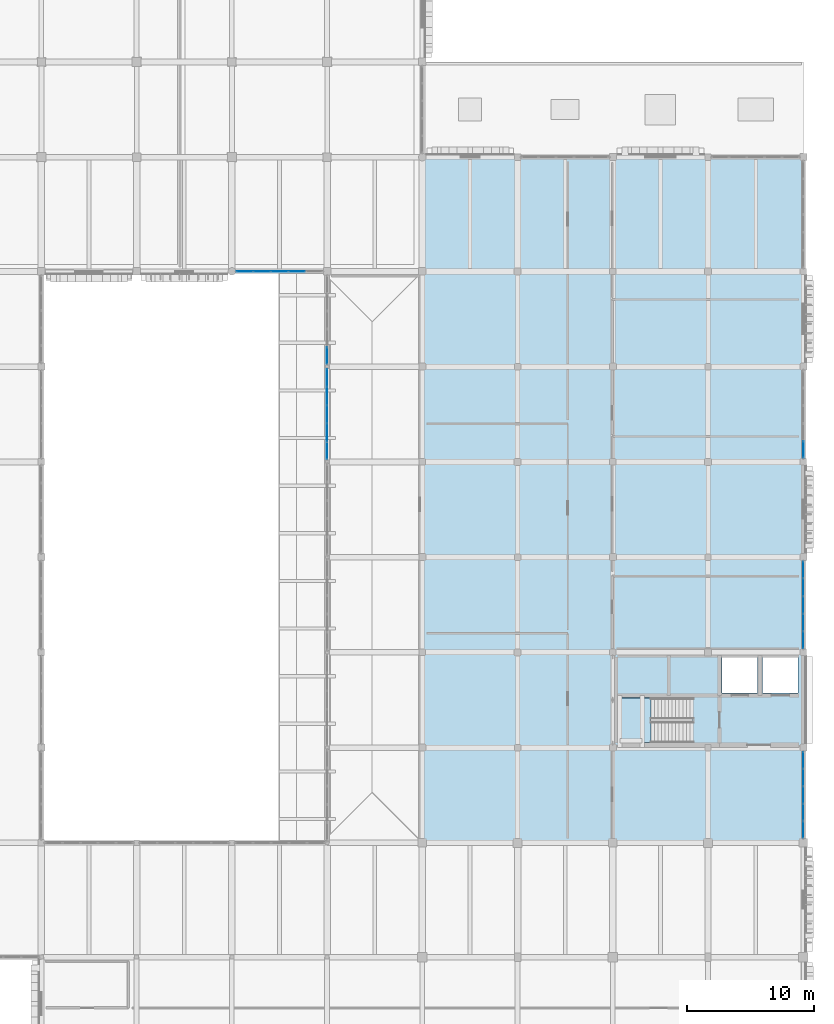
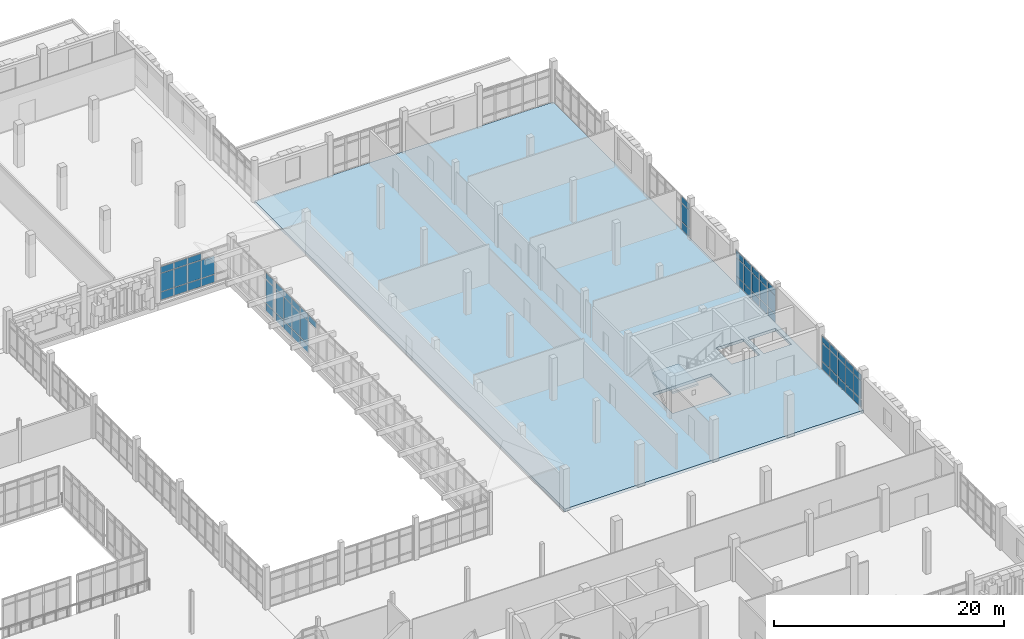
# One storey, part 89 of 128: 60 plates, 2 slabs, 7 elements without a shape of their own.
"""IFC4 building model written with IfcOpenShell, lengths in metres."""

import ifcopenshell
import ifcopenshell.guid

model = None  # the IFC model being written
_history = None  # IfcOwnerHistory: only IFC2X3 demands one
_inside = {}  # id of a spatial element -> (the spatial element, [elements in it])
_under = {}  # id of a project, library or spatial element -> (it, [spatial elements below it])
_declared = {}  # id of a project -> (the project, [libraries it declares])
_typed = {}  # id of a type object -> (the type object, [elements of that type])
_made_of = {}  # id of a material, layer set ... -> (it, [elements and type objects made of it])


def new_model(schema):
    """Start an empty IFC model of exactly this schema.

    Asked for "IFC4X3", IfcOpenShell would pick the latest addendum, in which some entities
    have other attributes; the version numbers below select the first issue.
    IFC2X3 requires an IfcOwnerHistory on every rooted entity: one is made here for all.
    """
    global model, _history
    if schema == "IFC4X3":
        model = ifcopenshell.file(schema_version=(4, 3, 0, 0))
    else:
        model = ifcopenshell.file(schema=schema)
    _inside.clear()
    _under.clear()
    _declared.clear()
    _typed.clear()
    _made_of.clear()
    _history = None
    if model.schema == "IFC2X3":
        org = make("IfcOrganization", Name="unknown")
        user = make(
            "IfcPersonAndOrganization",
            ThePerson=make("IfcPerson", FamilyName="unknown"),
            TheOrganization=org,
        )
        app = make(
            "IfcApplication",
            ApplicationDeveloper=org,
            Version="unknown",
            ApplicationFullName="unknown",
            ApplicationIdentifier="unknown",
        )
        _history = make(
            "IfcOwnerHistory",
            OwningUser=user,
            OwningApplication=app,
            ChangeAction="ADDED",
            CreationDate=0,
        )
    return model


def make(cls, **values):
    """One entity of the class cls with the attributes given. An attribute that is None is left unset."""
    return model.create_entity(
        cls, **{name: value for name, value in values.items() if value is not None}
    )


def rooted(cls, **values):
    """An entity with a GlobalId (a new one), such as an element, a storey or a relation."""
    return make(cls, GlobalId=ifcopenshell.guid.new(), OwnerHistory=_history, **values)


def si_unit(unit_type, name, prefix=None):
    """IfcSIUnit, for example si_unit("LENGTHUNIT", "METRE", prefix="MILLI")."""
    return make("IfcSIUnit", UnitType=unit_type, Prefix=prefix, Name=name)


def assignment(units):
    """IfcUnitAssignment: the units of a project."""
    return None if units is None else make("IfcUnitAssignment", Units=units)


def point(xyz):
    """IfcCartesianPoint."""
    return None if xyz is None else make("IfcCartesianPoint", Coordinates=xyz)


def direction(xyz):
    """IfcDirection."""
    return None if xyz is None else make("IfcDirection", DirectionRatios=xyz)


def frame(location, z_axis=None, x_axis=None):
    """IfcAxis2Placement3D, a coordinate frame: its origin and axes. An axis left out is left unset."""
    return make(
        "IfcAxis2Placement3D",
        Location=point(location),
        Axis=direction(z_axis),
        RefDirection=direction(x_axis),
    )


def frame_2d(location, x_axis=None):
    """IfcAxis2Placement2D, a coordinate frame in the plane: its origin and x axis."""
    return make(
        "IfcAxis2Placement2D", Location=point(location), RefDirection=direction(x_axis)
    )


def origin():
    """The frame at (0, 0, 0) with its axes left unset."""
    return frame((0.0, 0.0, 0.0))


def origin_2d():
    """The frame at (0, 0) in the plane with its x axis left unset."""
    return frame_2d((0.0, 0.0))


def place(relative_to, where):
    """IfcLocalPlacement: puts the frame where relative to a parent placement (None: the world)."""
    return make(
        "IfcLocalPlacement", PlacementRelTo=relative_to, RelativePlacement=where
    )


def context(
    kind, dimensions, precision=None, world=None, true_north=None, identifier=None
):
    """IfcGeometricRepresentationContext, for example the 3D "Model" context."""
    return make(
        "IfcGeometricRepresentationContext",
        ContextIdentifier=identifier,
        ContextType=kind,
        CoordinateSpaceDimension=dimensions,
        Precision=precision,
        WorldCoordinateSystem=world,
        TrueNorth=true_north,
    )


def subcontext(parent, identifier, kind, view, scale=None):
    """IfcGeometricRepresentationSubContext, for example "Body" below "Model"."""
    return make(
        "IfcGeometricRepresentationSubContext",
        ContextIdentifier=identifier,
        ContextType=kind,
        ParentContext=parent,
        TargetScale=scale,
        TargetView=view,
    )


def project(units=None, contexts=None):
    """IfcProject with its units and contexts."""
    return rooted(
        "IfcProject",
        Name="project",
        RepresentationContexts=contexts,
        UnitsInContext=assignment(units),
    )


def spatial(cls, under=None, at=None, **own):
    """A site, building, storey or space (cls), placed at a placement, below another one or the project."""
    s = rooted(cls, ObjectPlacement=at, **own)
    if under is not None:
        _under.setdefault(under.id(), (under, []))[1].append(s)
    return s


def polyline(points):
    """IfcPolyline through the points."""
    return make("IfcPolyline", Points=[point(p) for p in points])


def profile(cls, at=None, kind="AREA", **sizes):
    """A parametric profile (cls). Its sizes go by their IFC names, for example OverallWidth=200.0."""
    return make(cls, ProfileType=kind, Position=at, **sizes)


def rectangle(**sizes):
    """IfcRectangleProfileDef."""
    return profile("IfcRectangleProfileDef", **sizes)


def outline(outer, holes=None, kind="AREA"):
    """IfcArbitraryClosedProfileDef: a profile drawn as a closed curve; with holes, ...WithVoids."""
    if holes is None:
        return make("IfcArbitraryClosedProfileDef", ProfileType=kind, OuterCurve=outer)
    return make(
        "IfcArbitraryProfileDefWithVoids",
        ProfileType=kind,
        OuterCurve=outer,
        InnerCurves=holes,
    )


def extrude(swept, where, along, depth):
    """IfcExtrudedAreaSolid: the profile swept, set in the frame where, extruded along a direction by depth."""
    return make(
        "IfcExtrudedAreaSolid",
        SweptArea=swept,
        Position=where,
        ExtrudedDirection=direction(along),
        Depth=depth,
    )


def shape(context_of_items, identifier, shape_type, items):
    """IfcShapeRepresentation: the items that make up one representation, for example the "Body"."""
    return make(
        "IfcShapeRepresentation",
        ContextOfItems=context_of_items,
        RepresentationIdentifier=identifier,
        RepresentationType=shape_type,
        Items=items,
    )


def material(Name=None, Category=None):
    """IfcMaterial."""
    return make("IfcMaterial", Name=Name, Category=Category)


def layer(
    of_material, thickness, ventilated=None, Name=None, Category=None, Priority=None
):
    """IfcMaterialLayer: one layer of a wall or slab, of a material (None: an air gap)."""
    return make(
        "IfcMaterialLayer",
        Material=of_material,
        LayerThickness=thickness,
        IsVentilated=ventilated,
        Name=Name,
        Category=Category,
        Priority=Priority,
    )


def layer_set(layers, Name=None):
    """IfcMaterialLayerSet."""
    return make("IfcMaterialLayerSet", MaterialLayers=layers, LayerSetName=Name)


def made_of(thing, what):
    """Note that an element or type object is made of a material, layer set ...; save() writes the relation."""
    if what is not None:
        _made_of.setdefault(what.id(), (what, []))[1].append(thing)
    return thing


def type_object(cls, material=None, **own):
    """A type object (cls), such as IfcWallType, which elements share."""
    return made_of(rooted(cls, **own), material)


def element(
    cls,
    number,
    at=None,
    inside=None,
    cuts=None,
    type_object=None,
    material=None,
    context=None,
    identifier="Body",
    shape_type=None,
    held_by="IfcProductDefinitionShape",
    body=None,
    shapes=None,
    **own,
):
    """One element of the class cls, such as IfcWall. Its Tag is "e" and its number.

    at: its placement. inside: the storey or other place that contains it. cuts: it is an
    opening in that element (IfcRelVoidsElement). A single representation is given by context,
    identifier, shape_type and body (its items); several are given by shapes. held_by: the class
    of the entity that holds the representations. save() writes the other relations.
    """
    e = rooted(cls, Tag="e%d" % number, ObjectPlacement=at, **own)
    if body is not None:
        shapes = [shape(context, identifier, shape_type, body)]
    if shapes is not None:
        e.Representation = make(held_by, Representations=shapes)
    if inside is not None:
        _inside.setdefault(inside.id(), (inside, []))[1].append(e)
    if cuts is not None:
        rooted(
            "IfcRelVoidsElement", RelatingBuildingElement=cuts, RelatedOpeningElement=e
        )
    if type_object is not None:
        _typed.setdefault(type_object.id(), (type_object, []))[1].append(e)
    return made_of(e, material)


def aggregate(whole, parts):
    """IfcRelAggregates: a whole, such as a stair, and the parts it consists of."""
    return rooted("IfcRelAggregates", RelatingObject=whole, RelatedObjects=parts)


def save(model, path):
    """Write the relations noted so far, then the file.

    IfcRelAggregates (storeys below a building ...), IfcRelContainedInSpatialStructure (elements
    in a storey), IfcRelDefinesByType, IfcRelAssociatesMaterial and IfcRelDeclares: one each for
    every whole, place, type object, material and project.
    """
    for whole, parts in _under.values():
        aggregate(whole, parts)
    for where, things in _inside.values():
        rooted(
            "IfcRelContainedInSpatialStructure",
            RelatedElements=things,
            RelatingStructure=where,
        )
    for kind, things in _typed.values():
        rooted("IfcRelDefinesByType", RelatedObjects=things, RelatingType=kind)
    for what, things in _made_of.values():
        rooted("IfcRelAssociatesMaterial", RelatedObjects=things, RelatingMaterial=what)
    for by, libraries in _declared.values():
        rooted("IfcRelDeclares", RelatingContext=by, RelatedDefinitions=libraries)
    model.write(path)


model = new_model("IFC4")

# Units and contexts
model_context = context("Model", 3, precision=1e-05, world=origin(), true_north=direction((0.0, 1.0)))
body_context = subcontext(model_context, "Body", "Model", "MODEL_VIEW")
ifc_project = project(units=[si_unit("LENGTHUNIT", "METRE"), si_unit("AREAUNIT", "SQUARE_METRE"), si_unit("VOLUMEUNIT", "CUBIC_METRE"), si_unit("PLANEANGLEUNIT", "RADIAN"), si_unit("MASSUNIT", "GRAM", prefix="KILO")], contexts=[model_context])

# Site, building, storey
site_placement = place(None, origin())
site = spatial("IfcSite", under=ifc_project, at=site_placement, CompositionType="ELEMENT")
building_placement = place(site_placement, origin())
building = spatial("IfcBuilding", under=site, at=building_placement, Name="Dalvernix Boulevard General Hospital", CompositionType="ELEMENT")
storey_placement = place(building_placement, frame((0.0, 0.0, 4.800048828125)))
storey = spatial("IfcBuildingStorey", under=building, at=storey_placement, Name="L01", CompositionType="ELEMENT", Elevation=4.800048828125)

# Curtain wall, plates
ifc_material_1 = material(Name="Thermally broken aluminium and solar-control glass curtain wall", Category="aluminium")
ifc_layer_1 = layer(ifc_material_1, 0.159912109375)
ifc_layer_set_1 = layer_set([ifc_layer_1], Name="Thermally broken aluminium and solar-control glass curtain wall (CW-CW-A-72x42)")
curtain_wall_type_1 = type_object("IfcCurtainWallType", Name="CW-CW-A-72x42", PredefinedType="USERDEFINED", material=ifc_layer_set_1)
curtain_wall_1_placement = place(storey_placement, origin())
curtain_wall_1 = element("IfcCurtainWall", 1, at=curtain_wall_1_placement, inside=storey, type_object=curtain_wall_type_1, Name="L01 curtain wall CW-A-72x42 18-8", ObjectType="GLAZED FACADE", PredefinedType="USERDEFINED")
ifc_material_2 = material(Name="Double-glazed solar-control low-emissivity glass", Category="glass")
ifc_layer_2 = layer(ifc_material_2, 0.02392578125)
ifc_layer_set_2 = layer_set([ifc_layer_2], Name="Double-glazed solar-control low-emissivity glass (PLT-CW-P1)")
plate_type_1 = type_object("IfcPlateType", Name="PLT-CW-P1", PredefinedType="CURTAIN_PANEL", material=ifc_layer_set_2)
plate_1_placement = place(storey_placement, frame((135.0, 62.385009765625, 3.4599609375), z_axis=(0.0, 0.0, 1.0), x_axis=(0.0, 1.0, 0.0)))
plate_1 = element("IfcPlate", 2, at=plate_1_placement, type_object=plate_type_1, Name="CW-A-72x42 panel 1.3", PredefinedType="CURTAIN_PANEL", context=body_context, shape_type="SweptSolid", body=[
    extrude(rectangle(XDim=1.35009765625, YDim=0.02392578125, at=origin_2d()), origin(), (0.0, 0.0, 1.0), 0.659912109375),
])
plate_2_placement = place(storey_placement, frame((135.0, 63.81005859375, 0.059814453125), z_axis=(0.0, 0.0, 1.0), x_axis=(0.0, 1.0, 0.0)))
plate_2 = element("IfcPlate", 3, at=plate_2_placement, type_object=plate_type_1, Name="CW-A-72x42 panel 2.1", PredefinedType="CURTAIN_PANEL", context=body_context, shape_type="SweptSolid", body=[
    extrude(rectangle(XDim=1.3798828125, YDim=0.02392578125, at=origin_2d()), origin(), (0.0, 0.0, 1.0), 0.81005859375),
])
plate_3_placement = place(storey_placement, frame((135.0, 63.81005859375, 0.93017578125), z_axis=(0.0, 0.0, 1.0), x_axis=(0.0, 1.0, 0.0)))
plate_3 = element("IfcPlate", 4, at=plate_3_placement, type_object=plate_type_1, Name="CW-A-72x42 panel 2.2", PredefinedType="CURTAIN_PANEL", context=body_context, shape_type="SweptSolid", body=[
    extrude(rectangle(XDim=1.3798828125, YDim=0.02392578125, at=origin_2d()), origin(), (0.0, 0.0, 1.0), 2.469970703125),
])
plate_4_placement = place(storey_placement, frame((135.0, 63.81005859375, 3.4599609375), z_axis=(0.0, 0.0, 1.0), x_axis=(0.0, 1.0, 0.0)))
plate_4 = element("IfcPlate", 5, at=plate_4_placement, type_object=plate_type_1, Name="CW-A-72x42 panel 2.3", PredefinedType="CURTAIN_PANEL", context=body_context, shape_type="SweptSolid", body=[
    extrude(rectangle(XDim=1.3798828125, YDim=0.02392578125, at=origin_2d()), origin(), (0.0, 0.0, 1.0), 0.659912109375),
])
plate_5_placement = place(storey_placement, frame((135.0, 65.25, 0.059814453125), z_axis=(0.0, 0.0, 1.0), x_axis=(0.0, 1.0, 0.0)))
plate_5 = element("IfcPlate", 6, at=plate_5_placement, type_object=plate_type_1, Name="CW-A-72x42 panel 3.1", PredefinedType="CURTAIN_PANEL", context=body_context, shape_type="SweptSolid", body=[
    extrude(rectangle(XDim=1.3798828125, YDim=0.02392578125, at=origin_2d()), origin(), (0.0, 0.0, 1.0), 0.81005859375),
])
plate_6_placement = place(storey_placement, frame((135.0, 65.25, 0.93017578125), z_axis=(0.0, 0.0, 1.0), x_axis=(0.0, 1.0, 0.0)))
plate_6 = element("IfcPlate", 7, at=plate_6_placement, type_object=plate_type_1, Name="CW-A-72x42 panel 3.2", PredefinedType="CURTAIN_PANEL", context=body_context, shape_type="SweptSolid", body=[
    extrude(rectangle(XDim=1.3798828125, YDim=0.02392578125, at=origin_2d()), origin(), (0.0, 0.0, 1.0), 2.469970703125),
])
plate_7_placement = place(storey_placement, frame((135.0, 65.25, 3.4599609375), z_axis=(0.0, 0.0, 1.0), x_axis=(0.0, 1.0, 0.0)))
plate_7 = element("IfcPlate", 8, at=plate_7_placement, type_object=plate_type_1, Name="CW-A-72x42 panel 3.3", PredefinedType="CURTAIN_PANEL", context=body_context, shape_type="SweptSolid", body=[
    extrude(rectangle(XDim=1.3798828125, YDim=0.02392578125, at=origin_2d()), origin(), (0.0, 0.0, 1.0), 0.659912109375),
])
plate_8_placement = place(storey_placement, frame((135.0, 66.68994140625, 0.059814453125), z_axis=(0.0, 0.0, 1.0), x_axis=(0.0, 1.0, 0.0)))
plate_8 = element("IfcPlate", 9, at=plate_8_placement, type_object=plate_type_1, Name="CW-A-72x42 panel 4.1", PredefinedType="CURTAIN_PANEL", context=body_context, shape_type="SweptSolid", body=[
    extrude(rectangle(XDim=1.3798828125, YDim=0.02392578125, at=origin_2d()), origin(), (0.0, 0.0, 1.0), 0.81005859375),
])
plate_9_placement = place(storey_placement, frame((135.0, 66.68994140625, 0.93017578125), z_axis=(0.0, 0.0, 1.0), x_axis=(0.0, 1.0, 0.0)))
plate_9 = element("IfcPlate", 10, at=plate_9_placement, type_object=plate_type_1, Name="CW-A-72x42 panel 4.2", PredefinedType="CURTAIN_PANEL", context=body_context, shape_type="SweptSolid", body=[
    extrude(rectangle(XDim=1.3798828125, YDim=0.02392578125, at=origin_2d()), origin(), (0.0, 0.0, 1.0), 2.469970703125),
])
plate_10_placement = place(storey_placement, frame((135.0, 66.68994140625, 3.4599609375), z_axis=(0.0, 0.0, 1.0), x_axis=(0.0, 1.0, 0.0)))
plate_10 = element("IfcPlate", 11, at=plate_10_placement, type_object=plate_type_1, Name="CW-A-72x42 panel 4.3", PredefinedType="CURTAIN_PANEL", context=body_context, shape_type="SweptSolid", body=[
    extrude(rectangle(XDim=1.3798828125, YDim=0.02392578125, at=origin_2d()), origin(), (0.0, 0.0, 1.0), 0.659912109375),
])
plate_11_placement = place(storey_placement, frame((135.0, 68.114990234375, 0.059814453125), z_axis=(0.0, 0.0, 1.0), x_axis=(0.0, 1.0, 0.0)))
plate_11 = element("IfcPlate", 12, at=plate_11_placement, type_object=plate_type_1, Name="CW-A-72x42 panel 5.1", PredefinedType="CURTAIN_PANEL", context=body_context, shape_type="SweptSolid", body=[
    extrude(rectangle(XDim=1.35009765625, YDim=0.02392578125, at=origin_2d()), origin(), (0.0, 0.0, 1.0), 0.81005859375),
])
plate_12_placement = place(storey_placement, frame((135.0, 68.114990234375, 0.93017578125), z_axis=(0.0, 0.0, 1.0), x_axis=(0.0, 1.0, 0.0)))
plate_12 = element("IfcPlate", 13, at=plate_12_placement, type_object=plate_type_1, Name="CW-A-72x42 panel 5.2", PredefinedType="CURTAIN_PANEL", context=body_context, shape_type="SweptSolid", body=[
    extrude(rectangle(XDim=1.35009765625, YDim=0.02392578125, at=origin_2d()), origin(), (0.0, 0.0, 1.0), 2.469970703125),
])
plate_13_placement = place(storey_placement, frame((135.0, 68.114990234375, 3.4599609375), z_axis=(0.0, 0.0, 1.0), x_axis=(0.0, 1.0, 0.0)))
plate_13 = element("IfcPlate", 14, at=plate_13_placement, type_object=plate_type_1, Name="CW-A-72x42 panel 5.3", PredefinedType="CURTAIN_PANEL", context=body_context, shape_type="SweptSolid", body=[
    extrude(rectangle(XDim=1.35009765625, YDim=0.02392578125, at=origin_2d()), origin(), (0.0, 0.0, 1.0), 0.659912109375),
])
aggregate(curtain_wall_1, [plate_1, plate_2, plate_3, plate_4, plate_5, plate_6, plate_7, plate_8, plate_9, plate_10, plate_11, plate_12, plate_13])

ifc_layer_3 = layer(ifc_material_1, 0.159912109375)
ifc_layer_set_3 = layer_set([ifc_layer_3], Name="Thermally broken aluminium and solar-control glass curtain wall (CW-CW-A-70x36)")
curtain_wall_type_2 = type_object("IfcCurtainWallType", Name="CW-CW-A-70x36", PredefinedType="USERDEFINED", material=ifc_layer_set_3)
curtain_wall_2_placement = place(storey_placement, origin())
curtain_wall_2 = element("IfcCurtainWall", 15, at=curtain_wall_2_placement, inside=storey, type_object=curtain_wall_type_2, Name="L01 curtain wall CW-A-70x36 23-6", ObjectType="GLAZED FACADE", PredefinedType="USERDEFINED")
plate_14_placement = place(storey_placement, frame((172.5, 53.00439453125, 0.059814453125), z_axis=(0.0, 0.0, 1.0), x_axis=(0.0, -1.0, 0.0)))
plate_14 = element("IfcPlate", 16, at=plate_14_placement, type_object=plate_type_1, Name="CW-A-70x36 panel 1.1", PredefinedType="CURTAIN_PANEL", context=body_context, shape_type="SweptSolid", body=[
    extrude(rectangle(XDim=1.301025390625, YDim=0.02392578125, at=origin_2d()), origin(), (0.0, 0.0, 1.0), 0.81005859375),
])
plate_15_placement = place(storey_placement, frame((172.5, 53.00439453125, 0.929931640625), z_axis=(0.0, 0.0, 1.0), x_axis=(0.0, -1.0, 0.0)))
plate_15 = element("IfcPlate", 17, at=plate_15_placement, type_object=plate_type_1, Name="CW-A-70x36 panel 1.2", PredefinedType="CURTAIN_PANEL", context=body_context, shape_type="SweptSolid", body=[
    extrude(rectangle(XDim=1.301025390625, YDim=0.02392578125, at=origin_2d()), origin(), (0.0, 0.0, 1.0), 1.919921875),
])
plate_16_placement = place(storey_placement, frame((172.5, 53.00439453125, 2.91015625), z_axis=(0.0, 0.0, 1.0), x_axis=(0.0, -1.0, 0.0)))
plate_16 = element("IfcPlate", 18, at=plate_16_placement, type_object=plate_type_1, Name="CW-A-70x36 panel 1.3", PredefinedType="CURTAIN_PANEL", context=body_context, shape_type="SweptSolid", body=[
    extrude(rectangle(XDim=1.301025390625, YDim=0.02392578125, at=origin_2d()), origin(), (0.0, 0.0, 1.0), 0.659912109375),
])
plate_17_placement = place(storey_placement, frame((172.5, 51.62841796875, 0.059814453125), z_axis=(0.0, 0.0, 1.0), x_axis=(0.0, -1.0, 0.0)))
plate_17 = element("IfcPlate", 19, at=plate_17_placement, type_object=plate_type_1, Name="CW-A-70x36 panel 2.1", PredefinedType="CURTAIN_PANEL", context=body_context, shape_type="SweptSolid", body=[
    extrude(rectangle(XDim=1.3310546875, YDim=0.02392578125, at=origin_2d()), origin(), (0.0, 0.0, 1.0), 0.81005859375),
])
plate_18_placement = place(storey_placement, frame((172.5, 51.62841796875, 0.929931640625), z_axis=(0.0, 0.0, 1.0), x_axis=(0.0, -1.0, 0.0)))
plate_18 = element("IfcPlate", 20, at=plate_18_placement, type_object=plate_type_1, Name="CW-A-70x36 panel 2.2", PredefinedType="CURTAIN_PANEL", context=body_context, shape_type="SweptSolid", body=[
    extrude(rectangle(XDim=1.3310546875, YDim=0.02392578125, at=origin_2d()), origin(), (0.0, 0.0, 1.0), 1.919921875),
])
plate_19_placement = place(storey_placement, frame((172.5, 51.62841796875, 2.91015625), z_axis=(0.0, 0.0, 1.0), x_axis=(0.0, -1.0, 0.0)))
plate_19 = element("IfcPlate", 21, at=plate_19_placement, type_object=plate_type_1, Name="CW-A-70x36 panel 2.3", PredefinedType="CURTAIN_PANEL", context=body_context, shape_type="SweptSolid", body=[
    extrude(rectangle(XDim=1.3310546875, YDim=0.02392578125, at=origin_2d()), origin(), (0.0, 0.0, 1.0), 0.659912109375),
])
plate_20_placement = place(storey_placement, frame((172.5, 50.237548828125, 0.059814453125), z_axis=(0.0, 0.0, 1.0), x_axis=(0.0, -1.0, 0.0)))
plate_20 = element("IfcPlate", 22, at=plate_20_placement, type_object=plate_type_1, Name="CW-A-70x36 panel 3.1", PredefinedType="CURTAIN_PANEL", context=body_context, shape_type="SweptSolid", body=[
    extrude(rectangle(XDim=1.3310546875, YDim=0.02392578125, at=origin_2d()), origin(), (0.0, 0.0, 1.0), 0.81005859375),
])
plate_21_placement = place(storey_placement, frame((172.5, 50.237548828125, 0.929931640625), z_axis=(0.0, 0.0, 1.0), x_axis=(0.0, -1.0, 0.0)))
plate_21 = element("IfcPlate", 23, at=plate_21_placement, type_object=plate_type_1, Name="CW-A-70x36 panel 3.2", PredefinedType="CURTAIN_PANEL", context=body_context, shape_type="SweptSolid", body=[
    extrude(rectangle(XDim=1.3310546875, YDim=0.02392578125, at=origin_2d()), origin(), (0.0, 0.0, 1.0), 1.919921875),
])
plate_22_placement = place(storey_placement, frame((172.5, 50.237548828125, 2.91015625), z_axis=(0.0, 0.0, 1.0), x_axis=(0.0, -1.0, 0.0)))
plate_22 = element("IfcPlate", 24, at=plate_22_placement, type_object=plate_type_1, Name="CW-A-70x36 panel 3.3", PredefinedType="CURTAIN_PANEL", context=body_context, shape_type="SweptSolid", body=[
    extrude(rectangle(XDim=1.3310546875, YDim=0.02392578125, at=origin_2d()), origin(), (0.0, 0.0, 1.0), 0.659912109375),
])
plate_23_placement = place(storey_placement, frame((172.5, 48.846435546875, 0.059814453125), z_axis=(0.0, 0.0, 1.0), x_axis=(0.0, -1.0, 0.0)))
plate_23 = element("IfcPlate", 25, at=plate_23_placement, type_object=plate_type_1, Name="CW-A-70x36 panel 4.1", PredefinedType="CURTAIN_PANEL", context=body_context, shape_type="SweptSolid", body=[
    extrude(rectangle(XDim=1.3310546875, YDim=0.02392578125, at=origin_2d()), origin(), (0.0, 0.0, 1.0), 0.81005859375),
])
plate_24_placement = place(storey_placement, frame((172.5, 48.846435546875, 0.929931640625), z_axis=(0.0, 0.0, 1.0), x_axis=(0.0, -1.0, 0.0)))
plate_24 = element("IfcPlate", 26, at=plate_24_placement, type_object=plate_type_1, Name="CW-A-70x36 panel 4.2", PredefinedType="CURTAIN_PANEL", context=body_context, shape_type="SweptSolid", body=[
    extrude(rectangle(XDim=1.3310546875, YDim=0.02392578125, at=origin_2d()), origin(), (0.0, 0.0, 1.0), 1.919921875),
])
plate_25_placement = place(storey_placement, frame((172.5, 48.846435546875, 2.91015625), z_axis=(0.0, 0.0, 1.0), x_axis=(0.0, -1.0, 0.0)))
plate_25 = element("IfcPlate", 27, at=plate_25_placement, type_object=plate_type_1, Name="CW-A-70x36 panel 4.3", PredefinedType="CURTAIN_PANEL", context=body_context, shape_type="SweptSolid", body=[
    extrude(rectangle(XDim=1.3310546875, YDim=0.02392578125, at=origin_2d()), origin(), (0.0, 0.0, 1.0), 0.659912109375),
])
plate_26_placement = place(storey_placement, frame((172.5, 47.470458984375, 0.059814453125), z_axis=(0.0, 0.0, 1.0), x_axis=(0.0, -1.0, 0.0)))
plate_26 = element("IfcPlate", 28, at=plate_26_placement, type_object=plate_type_1, Name="CW-A-70x36 panel 5.1", PredefinedType="CURTAIN_PANEL", context=body_context, shape_type="SweptSolid", body=[
    extrude(rectangle(XDim=1.301025390625, YDim=0.02392578125, at=origin_2d()), origin(), (0.0, 0.0, 1.0), 0.81005859375),
])
plate_27_placement = place(storey_placement, frame((172.5, 47.470458984375, 0.929931640625), z_axis=(0.0, 0.0, 1.0), x_axis=(0.0, -1.0, 0.0)))
plate_27 = element("IfcPlate", 29, at=plate_27_placement, type_object=plate_type_1, Name="CW-A-70x36 panel 5.2", PredefinedType="CURTAIN_PANEL", context=body_context, shape_type="SweptSolid", body=[
    extrude(rectangle(XDim=1.301025390625, YDim=0.02392578125, at=origin_2d()), origin(), (0.0, 0.0, 1.0), 1.919921875),
])
plate_28_placement = place(storey_placement, frame((172.5, 47.470458984375, 2.91015625), z_axis=(0.0, 0.0, 1.0), x_axis=(0.0, -1.0, 0.0)))
plate_28 = element("IfcPlate", 30, at=plate_28_placement, type_object=plate_type_1, Name="CW-A-70x36 panel 5.3", PredefinedType="CURTAIN_PANEL", context=body_context, shape_type="SweptSolid", body=[
    extrude(rectangle(XDim=1.301025390625, YDim=0.02392578125, at=origin_2d()), origin(), (0.0, 0.0, 1.0), 0.659912109375),
])
aggregate(curtain_wall_2, [plate_14, plate_15, plate_16, plate_17, plate_18, plate_19, plate_20, plate_21, plate_22, plate_23, plate_24, plate_25, plate_26, plate_27, plate_28])

ifc_layer_4 = layer(ifc_material_1, 0.179931640625)
ifc_layer_set_4 = layer_set([ifc_layer_4], Name="Thermally broken aluminium and solar-control glass curtain wall (CW-CW-B-69x36)")
curtain_wall_type_3 = type_object("IfcCurtainWallType", Name="CW-CW-B-69x36", PredefinedType="USERDEFINED", material=ifc_layer_set_4)
curtain_wall_3_placement = place(storey_placement, origin())
curtain_wall_3 = element("IfcCurtainWall", 31, at=curtain_wall_3_placement, inside=storey, type_object=curtain_wall_type_3, Name="L01 curtain wall CW-B-69x36 17-10", ObjectType="GLAZED FACADE", PredefinedType="USERDEFINED")
ifc_layer_5 = layer(ifc_material_2, 0.028076171875)
ifc_layer_set_5 = layer_set([ifc_layer_5], Name="Double-glazed solar-control low-emissivity glass (PLT-CW-P2)")
plate_type_2 = type_object("IfcPlateType", Name="PLT-CW-P2", PredefinedType="CURTAIN_PANEL", material=ifc_layer_set_5)
plate_29_placement = place(storey_placement, frame((132.6259765625, 76.5, 0.06494140625), z_axis=(0.0, 0.0, 1.0), x_axis=(-1.0, 0.0, 0.0)))
plate_29 = element("IfcPlate", 32, at=plate_29_placement, type_object=plate_type_2, Name="CW-B-69x36 panel 2.1", PredefinedType="CURTAIN_PANEL", context=body_context, shape_type="SweptSolid", body=[
    extrude(rectangle(XDim=1.31103515625, YDim=0.028076171875, at=origin_2d()), origin(), (0.0, 0.0, 1.0), 0.802490234375),
])
plate_30_placement = place(storey_placement, frame((132.6259765625, 76.5, 0.932373046875), z_axis=(0.0, 0.0, 1.0), x_axis=(-1.0, 0.0, 0.0)))
plate_30 = element("IfcPlate", 33, at=plate_30_placement, type_object=plate_type_2, Name="CW-B-69x36 panel 2.2", PredefinedType="CURTAIN_PANEL", context=body_context, shape_type="SweptSolid", body=[
    extrude(rectangle(XDim=1.31103515625, YDim=0.028076171875, at=origin_2d()), origin(), (0.0, 0.0, 1.0), 1.9150390625),
])
plate_31_placement = place(storey_placement, frame((131.25, 76.5, 0.06494140625), z_axis=(0.0, 0.0, 1.0), x_axis=(-1.0, 0.0, 0.0)))
plate_31 = element("IfcPlate", 34, at=plate_31_placement, type_object=plate_type_2, Name="CW-B-69x36 panel 3.1", PredefinedType="CURTAIN_PANEL", context=body_context, shape_type="SweptSolid", body=[
    extrude(rectangle(XDim=1.31103515625, YDim=0.028076171875, at=origin_2d()), origin(), (0.0, 0.0, 1.0), 0.802490234375),
])
plate_32_placement = place(storey_placement, frame((131.25, 76.5, 0.932373046875), z_axis=(0.0, 0.0, 1.0), x_axis=(-1.0, 0.0, 0.0)))
plate_32 = element("IfcPlate", 35, at=plate_32_placement, type_object=plate_type_2, Name="CW-B-69x36 panel 3.2", PredefinedType="CURTAIN_PANEL", context=body_context, shape_type="SweptSolid", body=[
    extrude(rectangle(XDim=1.31103515625, YDim=0.028076171875, at=origin_2d()), origin(), (0.0, 0.0, 1.0), 1.9150390625),
])
plate_33_placement = place(storey_placement, frame((131.25, 76.5, 2.91259765625), z_axis=(0.0, 0.0, 1.0), x_axis=(-1.0, 0.0, 0.0)))
plate_33 = element("IfcPlate", 36, at=plate_33_placement, type_object=plate_type_2, Name="CW-B-69x36 panel 3.3", PredefinedType="CURTAIN_PANEL", context=body_context, shape_type="SweptSolid", body=[
    extrude(rectangle(XDim=1.31103515625, YDim=0.028076171875, at=origin_2d()), origin(), (0.0, 0.0, 1.0), 0.652587890625),
])
plate_34_placement = place(storey_placement, frame((129.8740234375, 76.5, 0.06494140625), z_axis=(0.0, 0.0, 1.0), x_axis=(-1.0, 0.0, 0.0)))
plate_34 = element("IfcPlate", 37, at=plate_34_placement, type_object=plate_type_2, Name="CW-B-69x36 panel 4.1", PredefinedType="CURTAIN_PANEL", context=body_context, shape_type="SweptSolid", body=[
    extrude(rectangle(XDim=1.31103515625, YDim=0.028076171875, at=origin_2d()), origin(), (0.0, 0.0, 1.0), 0.802490234375),
])
plate_35_placement = place(storey_placement, frame((129.8740234375, 76.5, 0.932373046875), z_axis=(0.0, 0.0, 1.0), x_axis=(-1.0, 0.0, 0.0)))
plate_35 = element("IfcPlate", 38, at=plate_35_placement, type_object=plate_type_2, Name="CW-B-69x36 panel 4.2", PredefinedType="CURTAIN_PANEL", context=body_context, shape_type="SweptSolid", body=[
    extrude(rectangle(XDim=1.31103515625, YDim=0.028076171875, at=origin_2d()), origin(), (0.0, 0.0, 1.0), 1.9150390625),
])
plate_36_placement = place(storey_placement, frame((129.8740234375, 76.5, 2.91259765625), z_axis=(0.0, 0.0, 1.0), x_axis=(-1.0, 0.0, 0.0)))
plate_36 = element("IfcPlate", 39, at=plate_36_placement, type_object=plate_type_2, Name="CW-B-69x36 panel 4.3", PredefinedType="CURTAIN_PANEL", context=body_context, shape_type="SweptSolid", body=[
    extrude(rectangle(XDim=1.31103515625, YDim=0.028076171875, at=origin_2d()), origin(), (0.0, 0.0, 1.0), 0.652587890625),
])
plate_37_placement = place(storey_placement, frame((128.51416015625, 76.5, 0.06494140625), z_axis=(0.0, 0.0, 1.0), x_axis=(-1.0, 0.0, 0.0)))
plate_37 = element("IfcPlate", 40, at=plate_37_placement, type_object=plate_type_2, Name="CW-B-69x36 panel 5.1", PredefinedType="CURTAIN_PANEL", context=body_context, shape_type="SweptSolid", body=[
    extrude(rectangle(XDim=1.278564453125, YDim=0.028076171875, at=origin_2d()), origin(), (0.0, 0.0, 1.0), 0.802490234375),
])
plate_38_placement = place(storey_placement, frame((128.51416015625, 76.5, 0.932373046875), z_axis=(0.0, 0.0, 1.0), x_axis=(-1.0, 0.0, 0.0)))
plate_38 = element("IfcPlate", 41, at=plate_38_placement, type_object=plate_type_2, Name="CW-B-69x36 panel 5.2", PredefinedType="CURTAIN_PANEL", context=body_context, shape_type="SweptSolid", body=[
    extrude(rectangle(XDim=1.278564453125, YDim=0.028076171875, at=origin_2d()), origin(), (0.0, 0.0, 1.0), 1.9150390625),
])
plate_39_placement = place(storey_placement, frame((128.51416015625, 76.5, 2.91259765625), z_axis=(0.0, 0.0, 1.0), x_axis=(-1.0, 0.0, 0.0)))
plate_39 = element("IfcPlate", 42, at=plate_39_placement, type_object=plate_type_2, Name="CW-B-69x36 panel 5.3", PredefinedType="CURTAIN_PANEL", context=body_context, shape_type="SweptSolid", body=[
    extrude(rectangle(XDim=1.278564453125, YDim=0.028076171875, at=origin_2d()), origin(), (0.0, 0.0, 1.0), 0.652587890625),
])
aggregate(curtain_wall_3, [plate_29, plate_30, plate_31, plate_32, plate_33, plate_34, plate_35, plate_36, plate_37, plate_38, plate_39])

ifc_layer_6 = layer(ifc_material_1, 0.179931640625)
ifc_layer_set_6 = layer_set([ifc_layer_6], Name="Thermally broken aluminium and solar-control glass curtain wall (CW-CW-B-70x42)")
curtain_wall_type_4 = type_object("IfcCurtainWallType", Name="CW-CW-B-70x42", PredefinedType="USERDEFINED", material=ifc_layer_set_6)
curtain_wall_4_placement = place(storey_placement, origin())
curtain_wall_4 = element("IfcCurtainWall", 43, at=curtain_wall_4_placement, inside=storey, type_object=curtain_wall_type_4, Name="L01 curtain wall CW-B-70x42 18-9", ObjectType="GLAZED FACADE", PredefinedType="USERDEFINED")
plate_40_placement = place(storey_placement, frame((135.0, 69.870361328125, 0.06494140625), z_axis=(0.0, 0.0, 1.0), x_axis=(0.0, 1.0, 0.0)))
plate_40 = element("IfcPlate", 44, at=plate_40_placement, type_object=plate_type_2, Name="CW-B-70x42 panel 1.1", PredefinedType="CURTAIN_PANEL", context=body_context, shape_type="SweptSolid", body=[
    extrude(rectangle(XDim=1.310546875, YDim=0.028076171875, at=origin_2d()), origin(), (0.0, 0.0, 1.0), 0.802490234375),
])
plate_41_placement = place(storey_placement, frame((135.0, 69.870361328125, 0.9326171875), z_axis=(0.0, 0.0, 1.0), x_axis=(0.0, 1.0, 0.0)))
plate_41 = element("IfcPlate", 45, at=plate_41_placement, type_object=plate_type_2, Name="CW-B-70x42 panel 1.2", PredefinedType="CURTAIN_PANEL", context=body_context, shape_type="SweptSolid", body=[
    extrude(rectangle(XDim=1.310546875, YDim=0.028076171875, at=origin_2d()), origin(), (0.0, 0.0, 1.0), 2.465087890625),
])
plate_42_placement = place(storey_placement, frame((135.0, 69.870361328125, 3.46240234375), z_axis=(0.0, 0.0, 1.0), x_axis=(0.0, 1.0, 0.0)))
plate_42 = element("IfcPlate", 46, at=plate_42_placement, type_object=plate_type_2, Name="CW-B-70x42 panel 1.3", PredefinedType="CURTAIN_PANEL", context=body_context, shape_type="SweptSolid", body=[
    extrude(rectangle(XDim=1.310546875, YDim=0.028076171875, at=origin_2d()), origin(), (0.0, 0.0, 1.0), 0.652587890625),
])
aggregate(curtain_wall_4, [plate_40, plate_41, plate_42])

curtain_wall_5_placement = place(storey_placement, origin())
curtain_wall_5 = element("IfcCurtainWall", 47, at=curtain_wall_5_placement, inside=storey, type_object=curtain_wall_type_3, Name="L01 curtain wall CW-B-69x36 23-4", ObjectType="GLAZED FACADE", PredefinedType="USERDEFINED")
plate_43_placement = place(storey_placement, frame((172.5, 38.0107421875, 0.06494140625), z_axis=(0.0, 0.0, 1.0), x_axis=(0.0, -1.0, 0.0)))
plate_43 = element("IfcPlate", 48, at=plate_43_placement, type_object=plate_type_2, Name="CW-B-69x36 panel 1.1", PredefinedType="CURTAIN_PANEL", context=body_context, shape_type="SweptSolid", body=[
    extrude(rectangle(XDim=1.278564453125, YDim=0.028076171875, at=origin_2d()), origin(), (0.0, 0.0, 1.0), 0.802490234375),
])
plate_44_placement = place(storey_placement, frame((172.5, 38.0107421875, 0.932373046875), z_axis=(0.0, 0.0, 1.0), x_axis=(0.0, -1.0, 0.0)))
plate_44 = element("IfcPlate", 49, at=plate_44_placement, type_object=plate_type_2, Name="CW-B-69x36 panel 1.2", PredefinedType="CURTAIN_PANEL", context=body_context, shape_type="SweptSolid", body=[
    extrude(rectangle(XDim=1.278564453125, YDim=0.028076171875, at=origin_2d()), origin(), (0.0, 0.0, 1.0), 1.9150390625),
])
plate_45_placement = place(storey_placement, frame((172.5, 38.0107421875, 2.91259765625), z_axis=(0.0, 0.0, 1.0), x_axis=(0.0, -1.0, 0.0)))
plate_45 = element("IfcPlate", 50, at=plate_45_placement, type_object=plate_type_2, Name="CW-B-69x36 panel 1.3", PredefinedType="CURTAIN_PANEL", context=body_context, shape_type="SweptSolid", body=[
    extrude(rectangle(XDim=1.278564453125, YDim=0.028076171875, at=origin_2d()), origin(), (0.0, 0.0, 1.0), 0.652587890625),
])
plate_46_placement = place(storey_placement, frame((172.5, 36.65087890625, 0.06494140625), z_axis=(0.0, 0.0, 1.0), x_axis=(0.0, -1.0, 0.0)))
plate_46 = element("IfcPlate", 51, at=plate_46_placement, type_object=plate_type_2, Name="CW-B-69x36 panel 2.1", PredefinedType="CURTAIN_PANEL", context=body_context, shape_type="SweptSolid", body=[
    extrude(rectangle(XDim=1.31103515625, YDim=0.028076171875, at=origin_2d()), origin(), (0.0, 0.0, 1.0), 0.802490234375),
])
plate_47_placement = place(storey_placement, frame((172.5, 36.65087890625, 0.932373046875), z_axis=(0.0, 0.0, 1.0), x_axis=(0.0, -1.0, 0.0)))
plate_47 = element("IfcPlate", 52, at=plate_47_placement, type_object=plate_type_2, Name="CW-B-69x36 panel 2.2", PredefinedType="CURTAIN_PANEL", context=body_context, shape_type="SweptSolid", body=[
    extrude(rectangle(XDim=1.31103515625, YDim=0.028076171875, at=origin_2d()), origin(), (0.0, 0.0, 1.0), 1.9150390625),
])
plate_48_placement = place(storey_placement, frame((172.5, 36.65087890625, 2.91259765625), z_axis=(0.0, 0.0, 1.0), x_axis=(0.0, -1.0, 0.0)))
plate_48 = element("IfcPlate", 53, at=plate_48_placement, type_object=plate_type_2, Name="CW-B-69x36 panel 2.3", PredefinedType="CURTAIN_PANEL", context=body_context, shape_type="SweptSolid", body=[
    extrude(rectangle(XDim=1.31103515625, YDim=0.028076171875, at=origin_2d()), origin(), (0.0, 0.0, 1.0), 0.652587890625),
])
plate_49_placement = place(storey_placement, frame((172.5, 35.27490234375, 0.06494140625), z_axis=(0.0, 0.0, 1.0), x_axis=(0.0, -1.0, 0.0)))
plate_49 = element("IfcPlate", 54, at=plate_49_placement, type_object=plate_type_2, Name="CW-B-69x36 panel 3.1", PredefinedType="CURTAIN_PANEL", context=body_context, shape_type="SweptSolid", body=[
    extrude(rectangle(XDim=1.31103515625, YDim=0.028076171875, at=origin_2d()), origin(), (0.0, 0.0, 1.0), 0.802490234375),
])
plate_50_placement = place(storey_placement, frame((172.5, 35.27490234375, 0.932373046875), z_axis=(0.0, 0.0, 1.0), x_axis=(0.0, -1.0, 0.0)))
plate_50 = element("IfcPlate", 55, at=plate_50_placement, type_object=plate_type_2, Name="CW-B-69x36 panel 3.2", PredefinedType="CURTAIN_PANEL", context=body_context, shape_type="SweptSolid", body=[
    extrude(rectangle(XDim=1.31103515625, YDim=0.028076171875, at=origin_2d()), origin(), (0.0, 0.0, 1.0), 1.9150390625),
])
plate_51_placement = place(storey_placement, frame((172.5, 35.27490234375, 2.91259765625), z_axis=(0.0, 0.0, 1.0), x_axis=(0.0, -1.0, 0.0)))
plate_51 = element("IfcPlate", 56, at=plate_51_placement, type_object=plate_type_2, Name="CW-B-69x36 panel 3.3", PredefinedType="CURTAIN_PANEL", context=body_context, shape_type="SweptSolid", body=[
    extrude(rectangle(XDim=1.31103515625, YDim=0.028076171875, at=origin_2d()), origin(), (0.0, 0.0, 1.0), 0.652587890625),
])
plate_52_placement = place(storey_placement, frame((172.5, 33.89892578125, 0.06494140625), z_axis=(0.0, 0.0, 1.0), x_axis=(0.0, -1.0, 0.0)))
plate_52 = element("IfcPlate", 57, at=plate_52_placement, type_object=plate_type_2, Name="CW-B-69x36 panel 4.1", PredefinedType="CURTAIN_PANEL", context=body_context, shape_type="SweptSolid", body=[
    extrude(rectangle(XDim=1.31103515625, YDim=0.028076171875, at=origin_2d()), origin(), (0.0, 0.0, 1.0), 0.802490234375),
])
plate_53_placement = place(storey_placement, frame((172.5, 33.89892578125, 0.932373046875), z_axis=(0.0, 0.0, 1.0), x_axis=(0.0, -1.0, 0.0)))
plate_53 = element("IfcPlate", 58, at=plate_53_placement, type_object=plate_type_2, Name="CW-B-69x36 panel 4.2", PredefinedType="CURTAIN_PANEL", context=body_context, shape_type="SweptSolid", body=[
    extrude(rectangle(XDim=1.31103515625, YDim=0.028076171875, at=origin_2d()), origin(), (0.0, 0.0, 1.0), 1.9150390625),
])
plate_54_placement = place(storey_placement, frame((172.5, 33.89892578125, 2.91259765625), z_axis=(0.0, 0.0, 1.0), x_axis=(0.0, -1.0, 0.0)))
plate_54 = element("IfcPlate", 59, at=plate_54_placement, type_object=plate_type_2, Name="CW-B-69x36 panel 4.3", PredefinedType="CURTAIN_PANEL", context=body_context, shape_type="SweptSolid", body=[
    extrude(rectangle(XDim=1.31103515625, YDim=0.028076171875, at=origin_2d()), origin(), (0.0, 0.0, 1.0), 0.652587890625),
])
plate_55_placement = place(storey_placement, frame((172.5, 32.539306640625, 0.06494140625), z_axis=(0.0, 0.0, 1.0), x_axis=(0.0, -1.0, 0.0)))
plate_55 = element("IfcPlate", 60, at=plate_55_placement, type_object=plate_type_2, Name="CW-B-69x36 panel 5.1", PredefinedType="CURTAIN_PANEL", context=body_context, shape_type="SweptSolid", body=[
    extrude(rectangle(XDim=1.278564453125, YDim=0.028076171875, at=origin_2d()), origin(), (0.0, 0.0, 1.0), 0.802490234375),
])
plate_56_placement = place(storey_placement, frame((172.5, 32.539306640625, 0.932373046875), z_axis=(0.0, 0.0, 1.0), x_axis=(0.0, -1.0, 0.0)))
plate_56 = element("IfcPlate", 61, at=plate_56_placement, type_object=plate_type_2, Name="CW-B-69x36 panel 5.2", PredefinedType="CURTAIN_PANEL", context=body_context, shape_type="SweptSolid", body=[
    extrude(rectangle(XDim=1.278564453125, YDim=0.028076171875, at=origin_2d()), origin(), (0.0, 0.0, 1.0), 1.9150390625),
])
plate_57_placement = place(storey_placement, frame((172.5, 32.539306640625, 2.91259765625), z_axis=(0.0, 0.0, 1.0), x_axis=(0.0, -1.0, 0.0)))
plate_57 = element("IfcPlate", 62, at=plate_57_placement, type_object=plate_type_2, Name="CW-B-69x36 panel 5.3", PredefinedType="CURTAIN_PANEL", context=body_context, shape_type="SweptSolid", body=[
    extrude(rectangle(XDim=1.278564453125, YDim=0.028076171875, at=origin_2d()), origin(), (0.0, 0.0, 1.0), 0.652587890625),
])
aggregate(curtain_wall_5, [plate_43, plate_44, plate_45, plate_46, plate_47, plate_48, plate_49, plate_50, plate_51, plate_52, plate_53, plate_54, plate_55, plate_56, plate_57])

ifc_layer_7 = layer(ifc_material_1, 0.199951171875)
ifc_layer_set_7 = layer_set([ifc_layer_7], Name="Thermally broken aluminium and solar-control glass curtain wall (CW-CW-C-70x36)")
curtain_wall_type_5 = type_object("IfcCurtainWallType", Name="CW-CW-C-70x36", PredefinedType="USERDEFINED", material=ifc_layer_set_7)
curtain_wall_6_placement = place(storey_placement, origin())
curtain_wall_6 = element("IfcCurtainWall", 63, at=curtain_wall_6_placement, inside=storey, type_object=curtain_wall_type_5, Name="L01 curtain wall CW-C-70x36 23-8", ObjectType="GLAZED FACADE", PredefinedType="USERDEFINED")
ifc_layer_8 = layer(ifc_material_2, 0.035888671875)
ifc_layer_set_8 = layer_set([ifc_layer_8], Name="Double-glazed solar-control low-emissivity glass (PLT-CW-P3)")
plate_type_3 = type_object("IfcPlateType", Name="PLT-CW-P3", PredefinedType="CURTAIN_PANEL", material=ifc_layer_set_8)
plate_58_placement = place(storey_placement, frame((172.5, 62.472900390625, 0.070068359375), z_axis=(0.0, 0.0, 1.0), x_axis=(0.0, -1.0, 0.0)))
plate_58 = element("IfcPlate", 64, at=plate_58_placement, type_object=plate_type_3, Name="CW-C-70x36 panel 5.1", PredefinedType="CURTAIN_PANEL", context=body_context, shape_type="SweptSolid", body=[
    extrude(rectangle(XDim=1.285888671875, YDim=0.035888671875, at=origin_2d()), origin(), (0.0, 0.0, 1.0), 0.794921875),
])
plate_59_placement = place(storey_placement, frame((172.5, 62.472900390625, 0.93505859375), z_axis=(0.0, 0.0, 1.0), x_axis=(0.0, -1.0, 0.0)))
plate_59 = element("IfcPlate", 65, at=plate_59_placement, type_object=plate_type_3, Name="CW-C-70x36 panel 5.2", PredefinedType="CURTAIN_PANEL", context=body_context, shape_type="SweptSolid", body=[
    extrude(rectangle(XDim=1.285888671875, YDim=0.035888671875, at=origin_2d()), origin(), (0.0, 0.0, 1.0), 1.909912109375),
])
plate_60_placement = place(storey_placement, frame((172.5, 62.472900390625, 2.9150390625), z_axis=(0.0, 0.0, 1.0), x_axis=(0.0, -1.0, 0.0)))
plate_60 = element("IfcPlate", 66, at=plate_60_placement, type_object=plate_type_3, Name="CW-C-70x36 panel 5.3", PredefinedType="CURTAIN_PANEL", context=body_context, shape_type="SweptSolid", body=[
    extrude(rectangle(XDim=1.285888671875, YDim=0.035888671875, at=origin_2d()), origin(), (0.0, 0.0, 1.0), 0.64501953125),
])
aggregate(curtain_wall_6, [plate_58, plate_59, plate_60])

# Slab
ifc_material_3 = material(Name="Concrete C35/45", Category="concrete")
ifc_layer_9 = layer(ifc_material_3, 0.300048828125)
ifc_layer_set_9 = layer_set([ifc_layer_9], Name="Concrete C35/45 (SLB-FS-03)")
slab_type_1 = type_object("IfcSlabType", Name="SLB-FS-03", PredefinedType="FLOOR", material=ifc_layer_set_9)
slab_1_placement = place(storey_placement, frame((0.0, 0.0, -0.300048828125)))
element("IfcSlab", 67, at=slab_1_placement, inside=storey, type_object=slab_type_1, Name="L01 V2 structural floor slab 1", PredefinedType="FLOOR", context=body_context, shape_type="SweptSolid", body=[
    extrude(outline(polyline([(142.5, 76.5), (142.5, 85.5), (150.0, 85.5), (157.5, 85.5), (165.0, 85.5), (172.5, 85.5), (172.5, 76.5), (172.5, 69.0), (172.5, 61.5), (172.5, 54.0), (172.5, 46.5), (172.5, 39.0), (172.5, 31.5), (165.0, 31.5), (157.5, 31.5), (150.0, 31.5), (142.5, 31.5), (142.5, 39.0), (142.5, 46.5), (142.5, 54.0), (142.5, 61.5), (142.5, 69.0), (142.5, 76.5)]), holes=[polyline([(157.89990234375, 39.39990234375), (163.7900390625, 39.39990234375), (163.7900390625, 42.89990234375), (157.89990234375, 42.89990234375), (157.89990234375, 39.39990234375)]), polyline([(166.10009765625, 46.10009765625), (166.10009765625, 43.300048828125), (168.89990234375, 43.300048828125), (168.89990234375, 46.10009765625), (166.10009765625, 46.10009765625)]), polyline([(172.10009765625, 46.10009765625), (169.300048828125, 46.10009765625), (169.300048828125, 43.300048828125), (172.10009765625, 43.300048828125), (172.10009765625, 46.10009765625)])]), origin(), (0.0, 0.0, 1.0), 0.300048828125),
])

# Stair, slab
ifc_material_4 = material(Name="Precast concrete C40/50", Category="concrete")
stair_type = type_object("IfcStairType", Name="IFCSTAIR-STC-165x450", PredefinedType="HALF_TURN_STAIR", material=ifc_material_4)
stair_placement = place(storey_placement, origin())
stair = element("IfcStair", 68, at=stair_placement, inside=storey, type_object=stair_type, Name="L01 Core C6 Exit Stair ST-06", PredefinedType="HALF_TURN_STAIR")
ifc_layer_10 = layer(ifc_material_4, 0.199951171875)
ifc_layer_set_10 = layer_set([ifc_layer_10], Name="Precast concrete C40/50 (SLB-LND-01)")
slab_type_2 = type_object("IfcSlabType", Name="SLB-LND-01", PredefinedType="LANDING", material=ifc_layer_set_10)
slab_2_placement = place(storey_placement, frame((0.0, 0.0, 2.050048828125)))
slab_2 = element("IfcSlab", 69, at=slab_2_placement, type_object=slab_type_2, Name="ST-06 landing 1", PredefinedType="LANDING", context=body_context, shape_type="SweptSolid", body=[
    extrude(outline(polyline([(160.489990234375, 42.89990234375), (157.89990234375, 42.89990234375), (157.89990234375, 39.39990234375), (160.489990234375, 39.39990234375), (160.489990234375, 42.89990234375)])), origin(), (0.0, 0.0, 1.0), 0.199951171875),
])
aggregate(stair, [slab_2])

save(model, "model.ifc")
